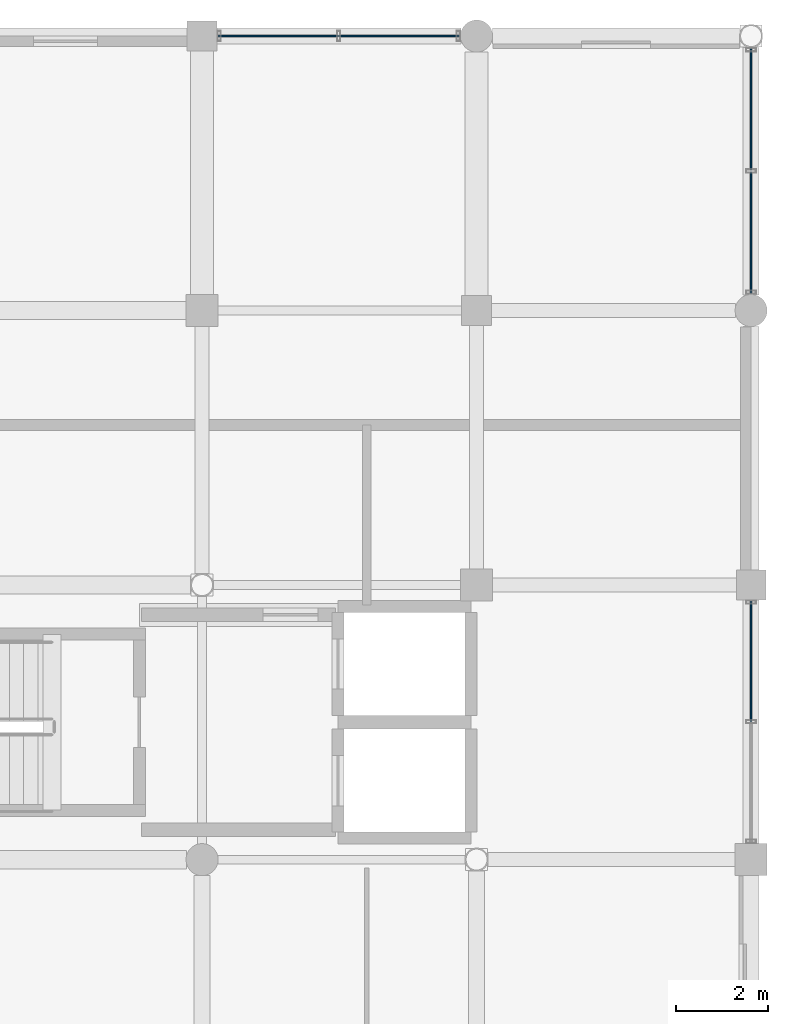
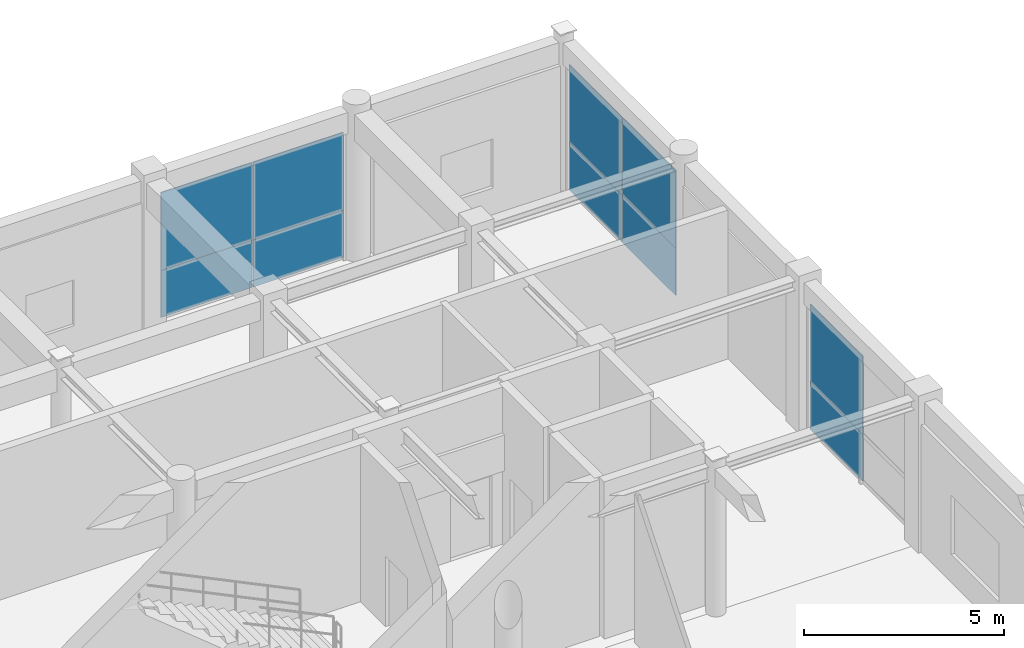
# One storey, part 85 of 112: 10 plates, 3 elements without a shape of their own.
"""IFC4 building model written with IfcOpenShell, lengths in metres."""

from ifc_helpers import new_model, si_unit, direction, frame, frame_2d, origin, place, context, subcontext, project, spatial, rectangle, extrude, material, layer, layer_set, type_object, element, aggregate, save


model = new_model("IFC4")

# Units and contexts
model_context = context("Model", 3, precision=1e-05, world=origin(), true_north=direction((0.0, 1.0)))
body_context = subcontext(model_context, "Body", "Model", "MODEL_VIEW")
ifc_project = project(units=[si_unit("LENGTHUNIT", "METRE"), si_unit("AREAUNIT", "SQUARE_METRE"), si_unit("VOLUMEUNIT", "CUBIC_METRE"), si_unit("PLANEANGLEUNIT", "RADIAN"), si_unit("MASSUNIT", "GRAM", prefix="KILO"), si_unit("THERMODYNAMICTEMPERATUREUNIT", "KELVIN"), si_unit("POWERUNIT", "WATT")], contexts=[model_context])

# Site, building, storey
site_placement = place(None, origin())
site = spatial("IfcSite", under=ifc_project, at=site_placement, CompositionType="ELEMENT")
building_placement = place(site_placement, origin())
building = spatial("IfcBuilding", under=site, at=building_placement, Name="Phaisarnlok Congress Hotel", CompositionType="ELEMENT")
storey_placement = place(building_placement, frame((0.0, 0.0, 19.800048828125)))
storey = spatial("IfcBuildingStorey", under=building, at=storey_placement, Name="L04", CompositionType="ELEMENT", Elevation=19.800048828125)

# Curtain wall, plates
ifc_material_1 = material(Name="Thermally Broken Unitised Aluminium & Low-E Glazing", Category="aluminium")
curtain_wall_type_1 = type_object("IfcCurtainWallType", Name="CW-UNIT-33", PredefinedType="NOTDEFINED", material=ifc_material_1)
curtain_wall_1_placement = place(storey_placement, origin())
curtain_wall_1 = element("IfcCurtainWall", 1, at=curtain_wall_1_placement, inside=storey, type_object=curtain_wall_type_1, Name="Unitised curtain wall CW-33 (L04)", PredefinedType="NOTDEFINED")
ifc_material_2 = material(Name="Double Low-E Insulated Glazing", Category="glass")
ifc_layer = layer(ifc_material_2, 0.028076171875, Name="Double Low-E Insulated Glazing")
ifc_layer_set = layer_set([ifc_layer], Name="Double Low-E Insulated Glazing")
plate_type = type_object("IfcPlateType", Name="CWP-GLZ-28", PredefinedType="CURTAIN_PANEL", material=ifc_layer_set)
plate_1_placement = place(storey_placement, frame((180.0, 111.027587890625, 0.0400390625), z_axis=(0.0, 0.0, 1.0), x_axis=(0.0, 1.0, 0.0)))
plate_1 = element("IfcPlate", 2, at=plate_1_placement, type_object=plate_type, Name="Glazed curtain panel CWP-01", PredefinedType="CURTAIN_PANEL", context=body_context, shape_type="SweptSolid", body=[
    extrude(rectangle(XDim=2.622314453125, YDim=0.028076171875, at=frame_2d((1.31103515625, 0.0))), origin(), (0.0, 0.0, 1.0), 1.44189453125),
])
plate_2_placement = place(storey_placement, frame((180.0, 111.027587890625, 1.48193359375), z_axis=(0.0, 0.0, 1.0), x_axis=(0.0, 1.0, 0.0)))
plate_2 = element("IfcPlate", 3, at=plate_2_placement, type_object=plate_type, Name="Glazed curtain panel CWP-01", PredefinedType="CURTAIN_PANEL", context=body_context, shape_type="SweptSolid", body=[
    extrude(rectangle(XDim=2.622314453125, YDim=0.028076171875, at=frame_2d((1.31103515625, 0.0))), origin(), (0.0, 0.0, 1.0), 2.3779296875),
])
aggregate(curtain_wall_1, [plate_1, plate_2])

curtain_wall_type_2 = type_object("IfcCurtainWallType", Name="CW-UNIT-34", PredefinedType="NOTDEFINED", material=ifc_material_1)
curtain_wall_2_placement = place(storey_placement, origin())
curtain_wall_2 = element("IfcCurtainWall", 4, at=curtain_wall_2_placement, inside=storey, type_object=curtain_wall_type_2, Name="Unitised curtain wall CW-34 (L04)", PredefinedType="NOTDEFINED")
plate_3_placement = place(storey_placement, frame((180.0, 120.375, 0.0400390625), z_axis=(0.0, 0.0, 1.0), x_axis=(0.0, 1.0, 0.0)))
plate_3 = element("IfcPlate", 5, at=plate_3_placement, type_object=plate_type, Name="Glazed curtain panel CWP-01", PredefinedType="CURTAIN_PANEL", context=body_context, shape_type="SweptSolid", body=[
    extrude(rectangle(XDim=2.657958984375, YDim=0.028076171875, at=frame_2d((1.3291015625, 0.0))), origin(), (0.0, 0.0, 1.0), 1.44189453125),
])
plate_4_placement = place(storey_placement, frame((180.0, 120.375, 1.48193359375), z_axis=(0.0, 0.0, 1.0), x_axis=(0.0, 1.0, 0.0)))
plate_4 = element("IfcPlate", 6, at=plate_4_placement, type_object=plate_type, Name="Glazed curtain panel CWP-01", PredefinedType="CURTAIN_PANEL", context=body_context, shape_type="SweptSolid", body=[
    extrude(rectangle(XDim=2.657958984375, YDim=0.028076171875, at=frame_2d((1.3291015625, 0.0))), origin(), (0.0, 0.0, 1.0), 2.3779296875),
])
plate_5_placement = place(storey_placement, frame((180.0, 123.06298828125, 0.0400390625), z_axis=(0.0, 0.0, 1.0), x_axis=(0.0, 1.0, 0.0)))
plate_5 = element("IfcPlate", 7, at=plate_5_placement, type_object=plate_type, Name="Glazed curtain panel CWP-01", PredefinedType="CURTAIN_PANEL", context=body_context, shape_type="SweptSolid", body=[
    extrude(rectangle(XDim=2.657958984375, YDim=0.028076171875, at=frame_2d((1.3291015625, 0.0))), origin(), (0.0, 0.0, 1.0), 1.44189453125),
])
plate_6_placement = place(storey_placement, frame((180.0, 123.06298828125, 1.48193359375), z_axis=(0.0, 0.0, 1.0), x_axis=(0.0, 1.0, 0.0)))
plate_6 = element("IfcPlate", 8, at=plate_6_placement, type_object=plate_type, Name="Glazed curtain panel CWP-01", PredefinedType="CURTAIN_PANEL", context=body_context, shape_type="SweptSolid", body=[
    extrude(rectangle(XDim=2.657958984375, YDim=0.028076171875, at=frame_2d((1.3291015625, 0.0))), origin(), (0.0, 0.0, 1.0), 2.3779296875),
])
aggregate(curtain_wall_2, [plate_3, plate_4, plate_5, plate_6])

curtain_wall_3_placement = place(storey_placement, origin())
curtain_wall_3 = element("IfcCurtainWall", 9, at=curtain_wall_3_placement, inside=storey, type_object=curtain_wall_type_1, Name="Unitised curtain wall CW-33 (L04)", PredefinedType="NOTDEFINED")
plate_7_placement = place(storey_placement, frame((173.625, 126.0, 0.0400390625), z_axis=(0.0, 0.0, 1.0), x_axis=(-1.0, 0.0, 0.0)))
plate_7 = element("IfcPlate", 10, at=plate_7_placement, type_object=plate_type, Name="Glazed curtain panel CWP-01", PredefinedType="CURTAIN_PANEL", context=body_context, shape_type="SweptSolid", body=[
    extrude(rectangle(XDim=2.62255859375, YDim=0.028076171875, at=frame_2d((1.311279296875, 0.0))), origin(), (0.0, 0.0, 1.0), 1.44189453125),
])
plate_8_placement = place(storey_placement, frame((173.625, 126.0, 1.48193359375), z_axis=(0.0, 0.0, 1.0), x_axis=(-1.0, 0.0, 0.0)))
plate_8 = element("IfcPlate", 11, at=plate_8_placement, type_object=plate_type, Name="Glazed curtain panel CWP-01", PredefinedType="CURTAIN_PANEL", context=body_context, shape_type="SweptSolid", body=[
    extrude(rectangle(XDim=2.62255859375, YDim=0.028076171875, at=frame_2d((1.311279296875, 0.0))), origin(), (0.0, 0.0, 1.0), 2.3779296875),
])
plate_9_placement = place(storey_placement, frame((170.972412109375, 126.0, 0.0400390625), z_axis=(0.0, 0.0, 1.0), x_axis=(-1.0, 0.0, 0.0)))
plate_9 = element("IfcPlate", 12, at=plate_9_placement, type_object=plate_type, Name="Glazed curtain panel CWP-01", PredefinedType="CURTAIN_PANEL", context=body_context, shape_type="SweptSolid", body=[
    extrude(rectangle(XDim=2.622314453125, YDim=0.028076171875, at=frame_2d((1.31103515625, 0.0))), origin(), (0.0, 0.0, 1.0), 1.44189453125),
])
plate_10_placement = place(storey_placement, frame((170.972412109375, 126.0, 1.48193359375), z_axis=(0.0, 0.0, 1.0), x_axis=(-1.0, 0.0, 0.0)))
plate_10 = element("IfcPlate", 13, at=plate_10_placement, type_object=plate_type, Name="Glazed curtain panel CWP-01", PredefinedType="CURTAIN_PANEL", context=body_context, shape_type="SweptSolid", body=[
    extrude(rectangle(XDim=2.622314453125, YDim=0.028076171875, at=frame_2d((1.31103515625, 0.0))), origin(), (0.0, 0.0, 1.0), 2.3779296875),
])
aggregate(curtain_wall_3, [plate_7, plate_8, plate_9, plate_10])

save(model, "model.ifc")
